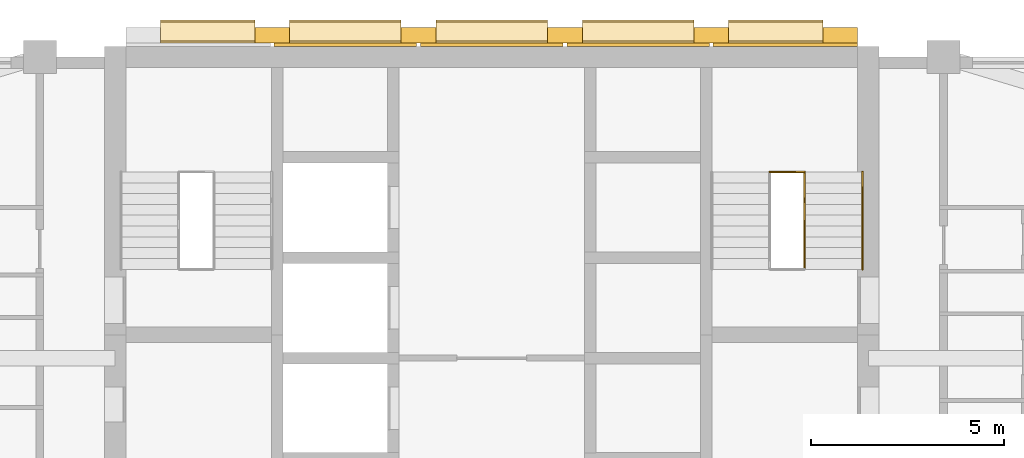
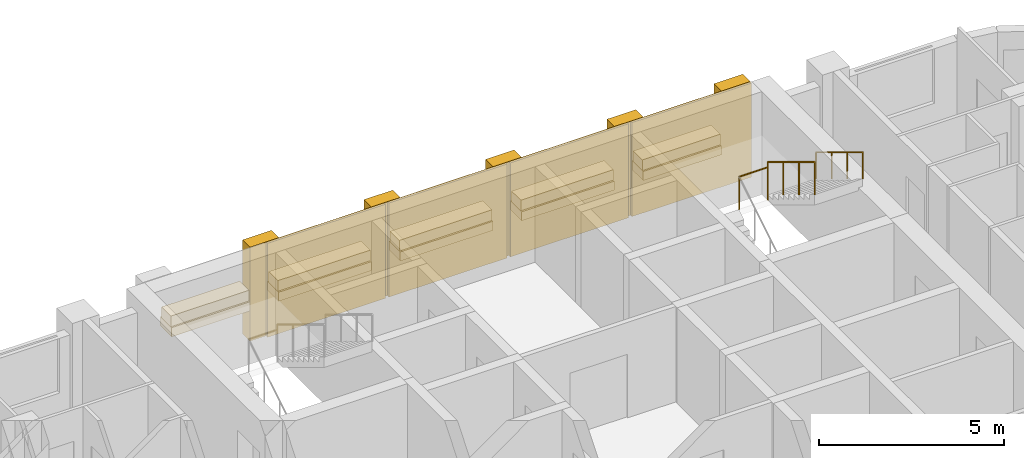
# One storey, part 13 of 13: 19 coverings, 3 railings, 1 element without a shape of its own.
"""IFC4 building model written with IfcOpenShell, lengths in metres."""

import ifcopenshell
import ifcopenshell.guid

model = None  # the IFC model being written
_history = None  # IfcOwnerHistory: only IFC2X3 demands one
_inside = {}  # id of a spatial element -> (the spatial element, [elements in it])
_under = {}  # id of a project, library or spatial element -> (it, [spatial elements below it])
_declared = {}  # id of a project -> (the project, [libraries it declares])
_typed = {}  # id of a type object -> (the type object, [elements of that type])
_made_of = {}  # id of a material, layer set ... -> (it, [elements and type objects made of it])


def new_model(schema):
    """Start an empty IFC model of exactly this schema.

    Asked for "IFC4X3", IfcOpenShell would pick the latest addendum, in which some entities
    have other attributes; the version numbers below select the first issue.
    IFC2X3 requires an IfcOwnerHistory on every rooted entity: one is made here for all.
    """
    global model, _history
    if schema == "IFC4X3":
        model = ifcopenshell.file(schema_version=(4, 3, 0, 0))
    else:
        model = ifcopenshell.file(schema=schema)
    _inside.clear()
    _under.clear()
    _declared.clear()
    _typed.clear()
    _made_of.clear()
    _history = None
    if model.schema == "IFC2X3":
        org = make("IfcOrganization", Name="unknown")
        user = make(
            "IfcPersonAndOrganization",
            ThePerson=make("IfcPerson", FamilyName="unknown"),
            TheOrganization=org,
        )
        app = make(
            "IfcApplication",
            ApplicationDeveloper=org,
            Version="unknown",
            ApplicationFullName="unknown",
            ApplicationIdentifier="unknown",
        )
        _history = make(
            "IfcOwnerHistory",
            OwningUser=user,
            OwningApplication=app,
            ChangeAction="ADDED",
            CreationDate=0,
        )
    return model


def make(cls, **values):
    """One entity of the class cls with the attributes given. An attribute that is None is left unset."""
    return model.create_entity(
        cls, **{name: value for name, value in values.items() if value is not None}
    )


def rooted(cls, **values):
    """An entity with a GlobalId (a new one), such as an element, a storey or a relation."""
    return make(cls, GlobalId=ifcopenshell.guid.new(), OwnerHistory=_history, **values)


def si_unit(unit_type, name, prefix=None):
    """IfcSIUnit, for example si_unit("LENGTHUNIT", "METRE", prefix="MILLI")."""
    return make("IfcSIUnit", UnitType=unit_type, Prefix=prefix, Name=name)


def assignment(units):
    """IfcUnitAssignment: the units of a project."""
    return None if units is None else make("IfcUnitAssignment", Units=units)


def point(xyz):
    """IfcCartesianPoint."""
    return None if xyz is None else make("IfcCartesianPoint", Coordinates=xyz)


def direction(xyz):
    """IfcDirection."""
    return None if xyz is None else make("IfcDirection", DirectionRatios=xyz)


def frame(location, z_axis=None, x_axis=None):
    """IfcAxis2Placement3D, a coordinate frame: its origin and axes. An axis left out is left unset."""
    return make(
        "IfcAxis2Placement3D",
        Location=point(location),
        Axis=direction(z_axis),
        RefDirection=direction(x_axis),
    )


def frame_2d(location, x_axis=None):
    """IfcAxis2Placement2D, a coordinate frame in the plane: its origin and x axis."""
    return make(
        "IfcAxis2Placement2D", Location=point(location), RefDirection=direction(x_axis)
    )


def origin():
    """The frame at (0, 0, 0) with its axes left unset."""
    return frame((0.0, 0.0, 0.0))


def origin_2d():
    """The frame at (0, 0) in the plane with its x axis left unset."""
    return frame_2d((0.0, 0.0))


def place(relative_to, where):
    """IfcLocalPlacement: puts the frame where relative to a parent placement (None: the world)."""
    return make(
        "IfcLocalPlacement", PlacementRelTo=relative_to, RelativePlacement=where
    )


def context(
    kind, dimensions, precision=None, world=None, true_north=None, identifier=None
):
    """IfcGeometricRepresentationContext, for example the 3D "Model" context."""
    return make(
        "IfcGeometricRepresentationContext",
        ContextIdentifier=identifier,
        ContextType=kind,
        CoordinateSpaceDimension=dimensions,
        Precision=precision,
        WorldCoordinateSystem=world,
        TrueNorth=true_north,
    )


def subcontext(parent, identifier, kind, view, scale=None):
    """IfcGeometricRepresentationSubContext, for example "Body" below "Model"."""
    return make(
        "IfcGeometricRepresentationSubContext",
        ContextIdentifier=identifier,
        ContextType=kind,
        ParentContext=parent,
        TargetScale=scale,
        TargetView=view,
    )


def project(units=None, contexts=None):
    """IfcProject with its units and contexts."""
    return rooted(
        "IfcProject",
        Name="project",
        RepresentationContexts=contexts,
        UnitsInContext=assignment(units),
    )


def spatial(cls, under=None, at=None, **own):
    """A site, building, storey or space (cls), placed at a placement, below another one or the project."""
    s = rooted(cls, ObjectPlacement=at, **own)
    if under is not None:
        _under.setdefault(under.id(), (under, []))[1].append(s)
    return s


def profile(cls, at=None, kind="AREA", **sizes):
    """A parametric profile (cls). Its sizes go by their IFC names, for example OverallWidth=200.0."""
    return make(cls, ProfileType=kind, Position=at, **sizes)


def rectangle(**sizes):
    """IfcRectangleProfileDef."""
    return profile("IfcRectangleProfileDef", **sizes)


def circle(**sizes):
    """IfcCircleProfileDef."""
    return profile("IfcCircleProfileDef", **sizes)


def extrude(swept, where, along, depth):
    """IfcExtrudedAreaSolid: the profile swept, set in the frame where, extruded along a direction by depth."""
    return make(
        "IfcExtrudedAreaSolid",
        SweptArea=swept,
        Position=where,
        ExtrudedDirection=direction(along),
        Depth=depth,
    )


def shape(context_of_items, identifier, shape_type, items):
    """IfcShapeRepresentation: the items that make up one representation, for example the "Body"."""
    return make(
        "IfcShapeRepresentation",
        ContextOfItems=context_of_items,
        RepresentationIdentifier=identifier,
        RepresentationType=shape_type,
        Items=items,
    )


def material(Name=None, Category=None):
    """IfcMaterial."""
    return make("IfcMaterial", Name=Name, Category=Category)


def layer(
    of_material, thickness, ventilated=None, Name=None, Category=None, Priority=None
):
    """IfcMaterialLayer: one layer of a wall or slab, of a material (None: an air gap)."""
    return make(
        "IfcMaterialLayer",
        Material=of_material,
        LayerThickness=thickness,
        IsVentilated=ventilated,
        Name=Name,
        Category=Category,
        Priority=Priority,
    )


def layer_set(layers, Name=None):
    """IfcMaterialLayerSet."""
    return make("IfcMaterialLayerSet", MaterialLayers=layers, LayerSetName=Name)


def made_of(thing, what):
    """Note that an element or type object is made of a material, layer set ...; save() writes the relation."""
    if what is not None:
        _made_of.setdefault(what.id(), (what, []))[1].append(thing)
    return thing


def type_object(cls, material=None, **own):
    """A type object (cls), such as IfcWallType, which elements share."""
    return made_of(rooted(cls, **own), material)


def element(
    cls,
    number,
    at=None,
    inside=None,
    cuts=None,
    type_object=None,
    material=None,
    context=None,
    identifier="Body",
    shape_type=None,
    held_by="IfcProductDefinitionShape",
    body=None,
    shapes=None,
    **own,
):
    """One element of the class cls, such as IfcWall. Its Tag is "e" and its number.

    at: its placement. inside: the storey or other place that contains it. cuts: it is an
    opening in that element (IfcRelVoidsElement). A single representation is given by context,
    identifier, shape_type and body (its items); several are given by shapes. held_by: the class
    of the entity that holds the representations. save() writes the other relations.
    """
    e = rooted(cls, Tag="e%d" % number, ObjectPlacement=at, **own)
    if body is not None:
        shapes = [shape(context, identifier, shape_type, body)]
    if shapes is not None:
        e.Representation = make(held_by, Representations=shapes)
    if inside is not None:
        _inside.setdefault(inside.id(), (inside, []))[1].append(e)
    if cuts is not None:
        rooted(
            "IfcRelVoidsElement", RelatingBuildingElement=cuts, RelatedOpeningElement=e
        )
    if type_object is not None:
        _typed.setdefault(type_object.id(), (type_object, []))[1].append(e)
    return made_of(e, material)


def aggregate(whole, parts):
    """IfcRelAggregates: a whole, such as a stair, and the parts it consists of."""
    return rooted("IfcRelAggregates", RelatingObject=whole, RelatedObjects=parts)


def save(model, path):
    """Write the relations noted so far, then the file.

    IfcRelAggregates (storeys below a building ...), IfcRelContainedInSpatialStructure (elements
    in a storey), IfcRelDefinesByType, IfcRelAssociatesMaterial and IfcRelDeclares: one each for
    every whole, place, type object, material and project.
    """
    for whole, parts in _under.values():
        aggregate(whole, parts)
    for where, things in _inside.values():
        rooted(
            "IfcRelContainedInSpatialStructure",
            RelatedElements=things,
            RelatingStructure=where,
        )
    for kind, things in _typed.values():
        rooted("IfcRelDefinesByType", RelatedObjects=things, RelatingType=kind)
    for what, things in _made_of.values():
        rooted("IfcRelAssociatesMaterial", RelatedObjects=things, RelatingMaterial=what)
    for by, libraries in _declared.values():
        rooted("IfcRelDeclares", RelatingContext=by, RelatedDefinitions=libraries)
    model.write(path)


model = new_model("IFC4")

# Units and contexts
model_context = context("Model", 3, precision=1e-05, world=origin(), true_north=direction((0.0, 1.0)))
body_context = subcontext(model_context, "Body", "Model", "MODEL_VIEW")
ifc_project = project(units=[si_unit("LENGTHUNIT", "METRE"), si_unit("AREAUNIT", "SQUARE_METRE"), si_unit("VOLUMEUNIT", "CUBIC_METRE"), si_unit("PLANEANGLEUNIT", "RADIAN"), si_unit("MASSUNIT", "GRAM", prefix="KILO")], contexts=[model_context])

# Site, building, storey
site_placement = place(None, origin())
site = spatial("IfcSite", under=ifc_project, at=site_placement, CompositionType="ELEMENT")
building_placement = place(site_placement, origin())
building = spatial("IfcBuilding", under=site, at=building_placement, Name="Ludao Terraces", CompositionType="ELEMENT")
storey_placement = place(building_placement, frame((0.0, 0.0, 130.5)))
storey = spatial("IfcBuildingStorey", under=building, at=storey_placement, Name="L35", CompositionType="ELEMENT", Elevation=130.5)

# Coverings
ifc_material_1 = material(Name="Granite cladding", Category="masonry")
ifc_layer_1 = layer(ifc_material_1, 0.39990234375)
ifc_layer_set_1 = layer_set([ifc_layer_1], Name="ENV Core pilaster stone 400")
covering_type_1 = type_object("IfcCoveringType", Name="ENV Core pilaster stone 400", PredefinedType="CLADDING", material=ifc_layer_set_1)
for number, where, z_axis, x_axis, name in (
    (1, (79.31494140625, 85.054931640625, 0.0), (0.0, 0.0, 1.0), (1.0, 0.0, 0.0), "CC-L35-PIL2"),
    (2, (83.10498046875, 85.054931640625, 0.0), (0.0, 0.0, 1.0), (1.0, 0.0, 0.0), "CC-L35-PIL3"),
    (3, (86.89501953125, 85.054931640625, 0.0), (0.0, 0.0, 1.0), (1.0, 0.0, 0.0), "CC-L35-PIL4"),
    (4, (90.68505859375, 85.054931640625, 0.0), (0.0, 0.0, 1.0), (1.0, 0.0, 0.0), "CC-L35-PIL5"),
    (5, (94.02490234375, 85.054931640625, 0.0), (0.0, 0.0, 1.0), (1.0, 0.0, 0.0), "CC-L35-PIL6"),
):
    element("IfcCovering", number, at=place(storey_placement, frame(where, z_axis=z_axis, x_axis=x_axis)), inside=storey, type_object=covering_type_1, Name=name, PredefinedType="CLADDING", context=body_context, shape_type="SweptSolid", body=[
        extrude(rectangle(XDim=0.89990234375, YDim=0.39990234375, at=origin_2d()), origin(), (0.0, 0.0, 1.0), 3.10009765625),
    ])
ifc_layer_2 = layer(ifc_material_1, 0.60009765625)
ifc_layer_set_2 = layer_set([ifc_layer_2], Name="ENV Core planting shelf stone 600")
covering_type_2 = type_object("IfcCoveringType", Name="ENV Core planting shelf stone 600", PredefinedType="CLADDING", material=ifc_layer_set_2)
covering_1_placement = place(storey_placement, frame((77.64501953125, 85.155029296875, 1.0), z_axis=(0.0, 0.0, 1.0), x_axis=(1.0, 0.0, 0.0)))
element("IfcCovering", 6, at=covering_1_placement, inside=storey, type_object=covering_type_2, Name="CC-L35-SHELF1", PredefinedType="CLADDING", context=body_context, shape_type="SweptSolid", body=[
    extrude(rectangle(XDim=2.43994140625, YDim=0.60009765625, at=origin_2d()), origin(), (0.0, 0.0, 1.0), 0.300048828125),
])
for number, where, z_axis, x_axis, name in (
    (7, (81.2099609375, 85.155029296875, 1.0), (0.0, 0.0, 1.0), (1.0, 0.0, 0.0), "CC-L35-SHELF2"),
    (8, (85.0, 85.155029296875, 1.0), (0.0, 0.0, 1.0), (1.0, 0.0, 0.0), "CC-L35-SHELF3"),
    (9, (88.7900390625, 85.155029296875, 1.0), (0.0, 0.0, 1.0), (1.0, 0.0, 0.0), "CC-L35-SHELF4"),
):
    element("IfcCovering", number, at=place(storey_placement, frame(where, z_axis=z_axis, x_axis=x_axis)), inside=storey, type_object=covering_type_2, Name=name, PredefinedType="CLADDING", context=body_context, shape_type="SweptSolid", body=[
        extrude(rectangle(XDim=2.889892578125, YDim=0.60009765625, at=origin_2d()), origin(), (0.0, 0.0, 1.0), 0.300048828125),
    ])
covering_2_placement = place(storey_placement, frame((92.35498046875, 85.155029296875, 1.0), z_axis=(0.0, 0.0, 1.0), x_axis=(1.0, 0.0, 0.0)))
element("IfcCovering", 10, at=covering_2_placement, inside=storey, type_object=covering_type_2, Name="CC-L35-SHELF5", PredefinedType="CLADDING", context=body_context, shape_type="SweptSolid", body=[
    extrude(rectangle(XDim=2.43994140625, YDim=0.60009765625, at=origin_2d()), origin(), (0.0, 0.0, 1.0), 0.300048828125),
])
ifc_layer_3 = layer(ifc_material_1, 0.080078125)
ifc_layer_set_3 = layer_set([ifc_layer_3], Name="ENV Core stone cladding panel 80")
covering_type_3 = type_object("IfcCoveringType", Name="ENV Core stone cladding panel 80", PredefinedType="CLADDING", material=ifc_layer_set_3)
for number, where, z_axis, x_axis, name in (
    (11, (81.2099609375, 84.81494140625, 0.0), (0.0, 0.0, 1.0), (1.0, 0.0, 0.0), "CC-L35-CORE2"),
    (12, (85.0, 84.81494140625, 0.0), (0.0, 0.0, 1.0), (1.0, 0.0, 0.0), "CC-L35-CORE3"),
    (13, (88.7900390625, 84.81494140625, 0.0), (0.0, 0.0, 1.0), (1.0, 0.0, 0.0), "CC-L35-CORE4"),
):
    element("IfcCovering", number, at=place(storey_placement, frame(where, z_axis=z_axis, x_axis=x_axis)), inside=storey, type_object=covering_type_3, Name=name, PredefinedType="CLADDING", context=body_context, shape_type="SweptSolid", body=[
        extrude(rectangle(XDim=3.68994140625, YDim=0.080078125, at=origin_2d()), origin(), (0.0, 0.0, 1.0), 3.10009765625),
    ])
covering_3_placement = place(storey_placement, frame((92.60498046875, 84.81494140625, 0.0), z_axis=(0.0, 0.0, 1.0), x_axis=(1.0, 0.0, 0.0)))
element("IfcCovering", 14, at=covering_3_placement, inside=storey, type_object=covering_type_3, Name="CC-L35-CORE5", PredefinedType="CLADDING", context=body_context, shape_type="SweptSolid", body=[
    extrude(rectangle(XDim=3.739990234375, YDim=0.080078125, at=origin_2d()), origin(), (0.0, 0.0, 1.0), 3.10009765625),
])
ifc_material_2 = material(Name="Planting")
ifc_layer_4 = layer(ifc_material_2, 0.5)
ifc_layer_set_4 = layer_set([ifc_layer_4], Name="ENV Shelf planting bed 350")
covering_type_4 = type_object("IfcCoveringType", Name="ENV Shelf planting bed 350", PredefinedType="USERDEFINED", material=ifc_layer_set_4)
covering_4_placement = place(storey_placement, frame((77.64501953125, 85.155029296875, 1.300048828125), z_axis=(0.0, 0.0, 1.0), x_axis=(1.0, 0.0, 0.0)))
element("IfcCovering", 15, at=covering_4_placement, inside=storey, type_object=covering_type_4, Name="Shelf planting bed L35 1", ObjectType="PLANTING", PredefinedType="USERDEFINED", context=body_context, shape_type="SweptSolid", body=[
    extrude(rectangle(XDim=2.43994140625, YDim=0.5, at=origin_2d()), origin(), (0.0, 0.0, 1.0), 0.35009765625),
])
for number, where, z_axis, x_axis, name in (
    (16, (81.2099609375, 85.155029296875, 1.300048828125), (0.0, 0.0, 1.0), (1.0, 0.0, 0.0), "Shelf planting bed L35 2"),
    (17, (85.0, 85.155029296875, 1.300048828125), (0.0, 0.0, 1.0), (1.0, 0.0, 0.0), "Shelf planting bed L35 3"),
    (18, (88.7900390625, 85.155029296875, 1.300048828125), (0.0, 0.0, 1.0), (1.0, 0.0, 0.0), "Shelf planting bed L35 4"),
):
    element("IfcCovering", number, at=place(storey_placement, frame(where, z_axis=z_axis, x_axis=x_axis)), inside=storey, type_object=covering_type_4, Name=name, ObjectType="PLANTING", PredefinedType="USERDEFINED", context=body_context, shape_type="SweptSolid", body=[
        extrude(rectangle(XDim=2.889892578125, YDim=0.5, at=origin_2d()), origin(), (0.0, 0.0, 1.0), 0.35009765625),
    ])
covering_5_placement = place(storey_placement, frame((92.35498046875, 85.155029296875, 1.300048828125), z_axis=(0.0, 0.0, 1.0), x_axis=(1.0, 0.0, 0.0)))
element("IfcCovering", 19, at=covering_5_placement, inside=storey, type_object=covering_type_4, Name="Shelf planting bed L35 5", ObjectType="PLANTING", PredefinedType="USERDEFINED", context=body_context, shape_type="SweptSolid", body=[
    extrude(rectangle(XDim=2.43994140625, YDim=0.5, at=origin_2d()), origin(), (0.0, 0.0, 1.0), 0.35009765625),
])

# Stair, railings
ifc_material_3 = material(Name="Concrete C40", Category="concrete")
stair_type = type_object("IfcStairType", Name="INT Stair", PredefinedType="HALF_TURN_STAIR", material=ifc_material_3)
stair_placement = place(storey_placement, origin())
stair = element("IfcStair", 20, at=stair_placement, inside=storey, type_object=stair_type, Name="EXIT STAIR 2", PredefinedType="HALF_TURN_STAIR")
ifc_material_4 = material(Name="Stainless steel 304", Category="steel")
railing_type_1 = type_object("IfcRailingType", Name="INT Stair guard 1100", PredefinedType="GUARDRAIL", material=ifc_material_4)
railing_1_placement = place(storey_placement, frame((93.10009765625, 81.52001953125, 1.8701171875)))
railing_1 = element("IfcRailing", 21, at=railing_1_placement, type_object=railing_type_1, Name="ST-L35-S2-R2G", PredefinedType="GUARDRAIL", context=body_context, shape_type="SweptSolid", body=[
    extrude(circle(Radius=0.02392578125, at=origin_2d()), frame((0.0, 0.0, 1.076171875), z_axis=(0.0, -0.854821627497, 0.518921945155), x_axis=(1.0, 0.0, 0.0)), (0.0, 0.0, 1.0), 2.947998046875),
    extrude(circle(Radius=0.02099609375, at=origin_2d()), origin(), (0.0, 0.0, 1.0), 1.052001953125),
    extrude(circle(Radius=0.02099609375, at=origin_2d()), frame((0.0, -0.840087890625, 0.510009765625)), (0.0, 0.0, 1.0), 1.052001953125),
    extrude(circle(Radius=0.02099609375, at=origin_2d()), frame((0.0, -1.679931640625, 1.019775390625)), (0.0, 0.0, 1.0), 1.052001953125),
    extrude(circle(Radius=0.02099609375, at=origin_2d()), frame((0.0, -2.52001953125, 1.52978515625)), (0.0, 0.0, 1.0), 1.052001953125),
])
railing_2_placement = place(storey_placement, frame((92.199951171875, 81.52001953125, 1.699951171875)))
railing_2 = element("IfcRailing", 22, at=railing_2_placement, type_object=railing_type_1, Name="ST-L35-S2-E1G", PredefinedType="GUARDRAIL", context=body_context, shape_type="SweptSolid", body=[
    extrude(circle(Radius=0.02392578125, at=origin_2d()), frame((0.0, 0.0, 1.076171875), z_axis=(1.0, 0.0, 0.0), x_axis=(0.0, 1.0, 0.0)), (0.0, 0.0, 1.0), 0.900146484375),
    extrude(circle(Radius=0.02099609375, at=origin_2d()), origin(), (0.0, 0.0, 1.0), 1.052001953125),
    extrude(circle(Radius=0.02099609375, at=origin_2d()), frame((0.900146484375, 0.0, 0.0)), (0.0, 0.0, 1.0), 1.052001953125),
])
railing_type_2 = type_object("IfcRailingType", Name="INT Stair handrail 900", PredefinedType="HANDRAIL", material=ifc_material_4)
railing_3_placement = place(storey_placement, frame((94.60009765625, 81.52001953125, 1.8701171875)))
railing_3 = element("IfcRailing", 23, at=railing_3_placement, type_object=railing_type_2, Name="ST-L35-S2-R2H", PredefinedType="HANDRAIL", context=body_context, shape_type="SweptSolid", body=[
    extrude(circle(Radius=0.02392578125, at=origin_2d()), frame((0.0, 0.0, 0.8759765625), z_axis=(0.0, -0.854821627497, 0.518921945155), x_axis=(1.0, 0.0, 0.0)), (0.0, 0.0, 1.0), 2.947998046875),
    extrude(circle(Radius=0.02099609375, at=origin_2d()), origin(), (0.0, 0.0, 1.0), 0.851806640625),
    extrude(circle(Radius=0.02099609375, at=origin_2d()), frame((0.0, -0.840087890625, 0.510009765625)), (0.0, 0.0, 1.0), 0.851806640625),
    extrude(circle(Radius=0.02099609375, at=origin_2d()), frame((0.0, -1.679931640625, 1.019775390625)), (0.0, 0.0, 1.0), 0.851806640625),
    extrude(circle(Radius=0.02099609375, at=origin_2d()), frame((0.0, -2.52001953125, 1.52978515625)), (0.0, 0.0, 1.0), 0.851806640625),
])
aggregate(stair, [railing_1, railing_3, railing_2])

save(model, "model.ifc")
